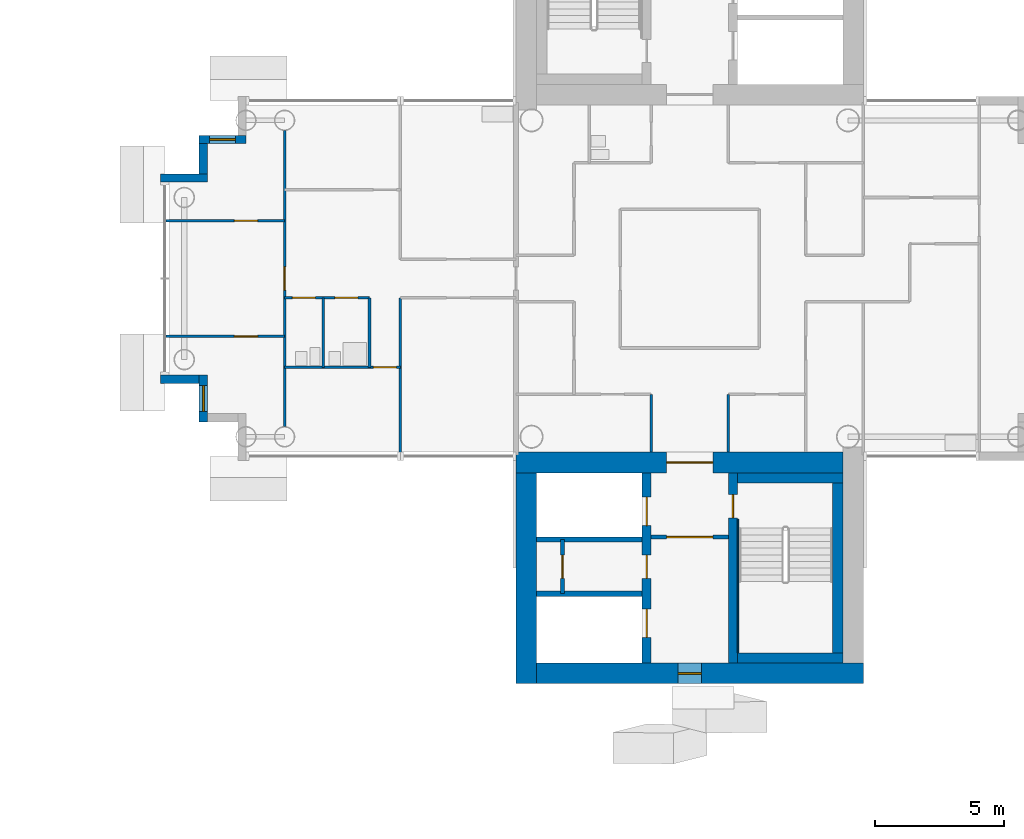
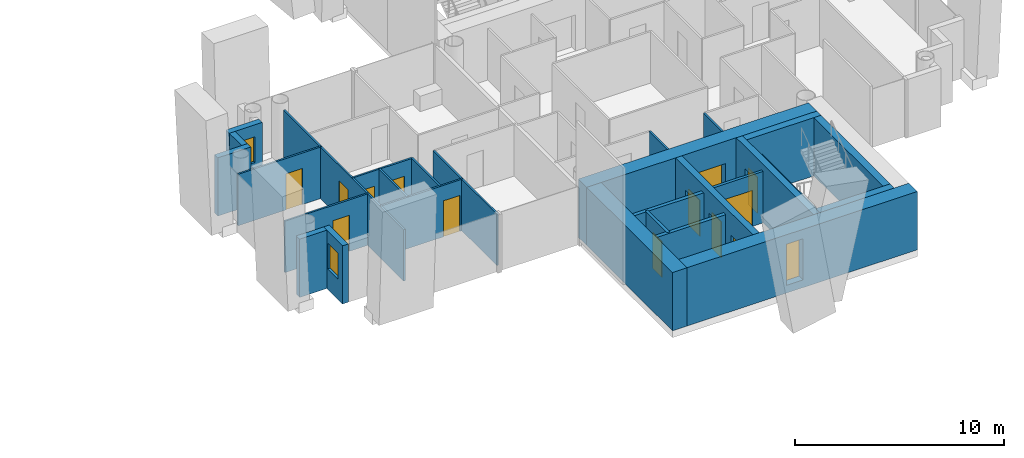
# One storey, part 9 of 19: 28 walls, 13 doors, 3 windows, 16 openings.
"""IFC4 building model written with IfcOpenShell, lengths in metres."""

from ifc_helpers import new_model, si_unit, direction, frame, frame_2d, origin, place, context, subcontext, project, spatial, rectangle, extrude, material, layer, layer_set, type_object, element, fill, save


model = new_model("IFC4")

# Units and contexts
model_context = context("Model", 3, precision=1e-05, world=origin(), true_north=direction((0.0, 1.0)))
body_context = subcontext(model_context, "Body", "Model", "MODEL_VIEW")
ifc_project = project(units=[si_unit("LENGTHUNIT", "METRE"), si_unit("AREAUNIT", "SQUARE_METRE"), si_unit("VOLUMEUNIT", "CUBIC_METRE"), si_unit("PLANEANGLEUNIT", "RADIAN"), si_unit("MASSUNIT", "GRAM", prefix="KILO")], contexts=[model_context])

# Site, building, storey
site_placement = place(None, origin())
site = spatial("IfcSite", under=ifc_project, at=site_placement, CompositionType="ELEMENT")
building_placement = place(site_placement, origin())
building = spatial("IfcBuilding", under=site, at=building_placement, Name="Ipe Terrace Towers", CompositionType="ELEMENT")
storey_placement = place(building_placement, frame((0.0, 0.0, 157.5)))
storey = spatial("IfcBuildingStorey", under=building, at=storey_placement, Name="L43", CompositionType="ELEMENT", Elevation=157.5)

# Wall, opening, window
ifc_material_1 = material(Name="Concrete C40/50 with buff precast cladding", Category="concrete")
ifc_layer_1 = layer(ifc_material_1, 0.320068359375)
ifc_layer_set_1 = layer_set([ifc_layer_1], Name="BUFF CLADDING WALL 320")
wall_type_1 = type_object("IfcWallType", Name="BUFF CLADDING WALL 320", PredefinedType="STANDARD", material=ifc_layer_set_1)
wall_1_placement = place(storey_placement, frame((18.75, 5.409912109375, -0.300048828125), z_axis=(0.0, 0.0, 1.0), x_axis=(-1.0, 0.0, 0.0)))
wall_1 = element("IfcWall", 1, at=wall_1_placement, inside=storey, type_object=wall_type_1, Name="T2-W-L43-31a wall", PredefinedType="STANDARD", context=body_context, shape_type="SweptSolid", body=[
    extrude(rectangle(XDim=1.820068359375, YDim=0.320068359375, at=frame_2d((0.91015625, 0.0))), origin(), (0.0, 0.0, 1.0), 3.400146484375),
])
opening_1_placement = place(wall_1_placement, frame((0.409912109375, 0.0, 1.199951171875)))
opening_1 = element("IfcOpeningElement", 2, at=opening_1_placement, cuts=wall_1, Name="Opening T2-W-05-L43-02", PredefinedType="OPENING", context=body_context, shape_type="SweptSolid", body=[
    extrude(rectangle(XDim=1.0, YDim=1.5, at=frame_2d((0.5, 0.75))), frame((0.0, 0.169921875, 0.0), z_axis=(0.0, -1.0, 0.0), x_axis=(1.0, 0.0, 0.0)), (0.0, 0.0, 1.0), 0.340087890625),
])
ifc_material_2 = material(Name="Glass, clear laminated", Category="glass")
window_type_1 = type_object("IfcWindowType", Name="DWELLING WINDOW 1000 x 1500", PartitioningType="SINGLE_PANEL", PredefinedType="WINDOW", material=ifc_material_2)
window_1_placement = place(opening_1_placement, origin())
window_1 = element("IfcWindow", 3, at=window_1_placement, inside=storey, type_object=window_type_1, Name="W-05 window", OverallHeight=1.5, OverallWidth=1.0, PartitioningType="SINGLE_PANEL", PredefinedType="WINDOW", context=body_context, shape_type="SweptSolid", body=[
    extrude(rectangle(XDim=1.0, YDim=1.5, at=frame_2d((0.5, 0.75))), frame((0.0, 0.030029296875, 0.0), z_axis=(0.0, -1.0, 0.0), x_axis=(1.0, 0.0, 0.0)), (0.0, 0.0, 1.0), 0.06005859375),
])
fill(opening_1, window_1)

# Walls
wall_2_placement = place(storey_placement, frame((17.090087890625, 5.25, -0.300048828125), z_axis=(0.0, 0.0, 1.0), x_axis=(0.0, -1.0, 0.0)))
element("IfcWall", 4, at=wall_2_placement, inside=storey, type_object=wall_type_1, Name="T2-W-L43-32a wall", PredefinedType="STANDARD", context=body_context, shape_type="SweptSolid", body=[
    extrude(rectangle(XDim=1.179931640625, YDim=0.320068359375, at=frame_2d((0.58984375, 0.0))), origin(), (0.0, 0.0, 1.0), 3.400146484375),
])
wall_3_placement = place(storey_placement, frame((17.25, 3.909912109375, -0.300048828125), z_axis=(0.0, 0.0, 1.0), x_axis=(-1.0, 0.0, 0.0)))
element("IfcWall", 5, at=wall_3_placement, inside=storey, type_object=wall_type_1, Name="T2-W-L43-33a wall", PredefinedType="STANDARD", context=body_context, shape_type="SweptSolid", body=[
    extrude(rectangle(XDim=1.820068359375, YDim=0.320068359375, at=frame_2d((0.91015625, 0.0))), origin(), (0.0, 0.0, 1.0), 3.400146484375),
])
wall_4_placement = place(storey_placement, frame((15.429931640625, -3.909912109375, -0.300048828125), z_axis=(0.0, 0.0, 1.0), x_axis=(1.0, 0.0, 0.0)))
element("IfcWall", 6, at=wall_4_placement, inside=storey, type_object=wall_type_1, Name="T2-W-L43-35a wall", PredefinedType="STANDARD", context=body_context, shape_type="SweptSolid", body=[
    extrude(rectangle(XDim=1.5, YDim=0.320068359375, at=frame_2d((0.75, 0.0))), origin(), (0.0, 0.0, 1.0), 3.400146484375),
])

# Wall, opening, window
wall_5_placement = place(storey_placement, frame((17.090087890625, -3.75, -0.300048828125), z_axis=(0.0, 0.0, 1.0), x_axis=(0.0, -1.0, 0.0)))
wall_5 = element("IfcWall", 7, at=wall_5_placement, inside=storey, type_object=wall_type_1, Name="T2-W-L43-36a wall", PredefinedType="STANDARD", context=body_context, shape_type="SweptSolid", body=[
    extrude(rectangle(XDim=1.820068359375, YDim=0.320068359375, at=frame_2d((0.91015625, 0.0))), origin(), (0.0, 0.0, 1.0), 3.400146484375),
])
opening_2_placement = place(wall_5_placement, frame((0.409912109375, 0.0, 1.199951171875)))
opening_2 = element("IfcOpeningElement", 8, at=opening_2_placement, cuts=wall_5, Name="Opening T2-W-05-L43-01", PredefinedType="OPENING", context=body_context, shape_type="SweptSolid", body=[
    extrude(rectangle(XDim=1.0, YDim=1.5, at=frame_2d((0.5, 0.75))), frame((0.0, 0.169921875, 0.0), z_axis=(0.0, -1.0, 0.0), x_axis=(1.0, 0.0, 0.0)), (0.0, 0.0, 1.0), 0.340087890625),
])
window_2_placement = place(opening_2_placement, origin())
window_2 = element("IfcWindow", 9, at=window_2_placement, inside=storey, type_object=window_type_1, Name="W-05 window", OverallHeight=1.5, OverallWidth=1.0, PartitioningType="SINGLE_PANEL", PredefinedType="WINDOW", context=body_context, shape_type="SweptSolid", body=[
    extrude(rectangle(XDim=1.0, YDim=1.5, at=frame_2d((0.5, 0.75))), frame((0.0, 0.030029296875, 0.0), z_axis=(0.0, -1.0, 0.0), x_axis=(1.0, 0.0, 0.0)), (0.0, 0.0, 1.0), 0.06005859375),
])
fill(opening_2, window_2)

# Wall, opening, door
ifc_material_3 = material(Name="Gypsum board partition", Category="plasterboard")
ifc_layer_2 = layer(ifc_material_3, 0.10009765625)
ifc_layer_set_2 = layer_set([ifc_layer_2], Name="Gypsum board partition 100 mm")
wall_type_2 = type_object("IfcWallType", Name="Gypsum board partition 100 mm", PredefinedType="PARTITIONING", material=ifc_layer_set_2)
wall_6_placement = place(storey_placement, frame((24.75, -3.449951171875, 0.0), z_axis=(0.0, 0.0, 1.0), x_axis=(-1.0, 0.0, 0.0)))
wall_6 = element("IfcWall", 10, at=wall_6_placement, inside=storey, type_object=wall_type_2, Name="Gypsum board partition T2 L43 W03", PredefinedType="PARTITIONING", context=body_context, shape_type="SweptSolid", body=[
    extrude(rectangle(XDim=4.5, YDim=0.10009765625, at=frame_2d((2.25, 0.0))), origin(), (0.0, 0.0, 1.0), 3.0),
])
opening_3_placement = place(wall_6_placement, frame((0.14990234375, 0.0, 0.0)))
opening_3 = element("IfcOpeningElement", 11, at=opening_3_placement, cuts=wall_6, Name="Opening T2-Z3C-15", PredefinedType="OPENING", context=body_context, shape_type="SweptSolid", body=[
    extrude(rectangle(XDim=0.89990234375, YDim=2.10009765625, at=frame_2d((0.449951171875, 1.050048828125))), frame((0.0, 0.06005859375, 0.0), z_axis=(0.0, -1.0, 0.0), x_axis=(1.0, 0.0, 0.0)), (0.0, 0.0, 1.0), 0.1201171875),
])
ifc_material_4 = material(Name="Timber door leaf", Category="wood")
door_type_1 = type_object("IfcDoorType", Name="Bedroom door 900 x 2100", OperationType="NOTDEFINED", PredefinedType="DOOR", material=ifc_material_4)
door_1_placement = place(opening_3_placement, origin())
door_1 = element("IfcDoor", 12, at=door_1_placement, inside=storey, type_object=door_type_1, Name="Bedroom door T2-Z3C-15", OperationType="SINGLE_SWING_RIGHT", OverallHeight=2.10009765625, OverallWidth=0.89990234375, PredefinedType="DOOR", context=body_context, shape_type="SweptSolid", body=[
    extrude(rectangle(XDim=0.89990234375, YDim=2.10009765625, at=frame_2d((0.449951171875, 1.050048828125))), frame((0.0, 0.02490234375, 0.0), z_axis=(0.0, -1.0, 0.0), x_axis=(1.0, 0.0, 0.0)), (0.0, 0.0, 1.0), 0.050048828125),
])
fill(opening_3, door_1)

wall_7_placement = place(storey_placement, frame((20.25, -2.25, 0.0), z_axis=(0.0, 0.0, 1.0), x_axis=(-1.0, 0.0, 0.0)))
wall_7 = element("IfcWall", 13, at=wall_7_placement, inside=storey, type_object=wall_type_2, Name="Gypsum board partition T2 L43 W05", PredefinedType="PARTITIONING", context=body_context, shape_type="SweptSolid", body=[
    extrude(rectangle(XDim=4.60009765625, YDim=0.10009765625, at=frame_2d((2.300048828125, 0.0))), origin(), (0.0, 0.0, 1.0), 3.0),
])
opening_4_placement = place(wall_7_placement, frame((1.050048828125, 0.0, 0.0)))
opening_4 = element("IfcOpeningElement", 14, at=opening_4_placement, cuts=wall_7, Name="Opening T2-Z3C-18", PredefinedType="OPENING", context=body_context, shape_type="SweptSolid", body=[
    extrude(rectangle(XDim=0.89990234375, YDim=2.10009765625, at=frame_2d((0.449951171875, 1.050048828125))), frame((0.0, 0.06005859375, 0.0), z_axis=(0.0, -1.0, 0.0), x_axis=(1.0, 0.0, 0.0)), (0.0, 0.0, 1.0), 0.1201171875),
])
door_2_placement = place(opening_4_placement, origin())
door_2 = element("IfcDoor", 15, at=door_2_placement, inside=storey, type_object=door_type_1, Name="Bedroom door T2-Z3C-18", OperationType="SINGLE_SWING_RIGHT", OverallHeight=2.10009765625, OverallWidth=0.89990234375, PredefinedType="DOOR", context=body_context, shape_type="SweptSolid", body=[
    extrude(rectangle(XDim=0.89990234375, YDim=2.10009765625, at=frame_2d((0.449951171875, 1.050048828125))), frame((0.0, 0.02490234375, 0.0), z_axis=(0.0, -1.0, 0.0), x_axis=(1.0, 0.0, 0.0)), (0.0, 0.0, 1.0), 0.050048828125),
])
fill(opening_4, door_2)

# Wall, openings, doors
wall_8_placement = place(storey_placement, frame((23.550048828125, -0.75, 0.0), z_axis=(0.0, 0.0, 1.0), x_axis=(-1.0, 0.0, 0.0)))
wall_8 = element("IfcWall", 16, at=wall_8_placement, inside=storey, type_object=wall_type_2, Name="Gypsum board partition T2 L43 W09", PredefinedType="PARTITIONING", context=body_context, shape_type="SweptSolid", body=[
    extrude(rectangle(XDim=3.300048828125, YDim=0.10009765625, at=frame_2d((1.64990234375, 0.0))), origin(), (0.0, 0.0, 1.0), 3.0),
])
opening_5_placement = place(wall_8_placement, frame((0.449951171875, 0.0, 0.0)))
opening_5 = element("IfcOpeningElement", 17, at=opening_5_placement, cuts=wall_8, Name="Opening T2-Z3C-13", PredefinedType="OPENING", context=body_context, shape_type="SweptSolid", body=[
    extrude(rectangle(XDim=0.89990234375, YDim=2.10009765625, at=frame_2d((0.449951171875, 1.050048828125))), frame((0.0, 0.06005859375, 0.0), z_axis=(0.0, -1.0, 0.0), x_axis=(1.0, 0.0, 0.0)), (0.0, 0.0, 1.0), 0.1201171875),
])
opening_6_placement = place(wall_8_placement, frame((2.10009765625, 0.0, 0.0)))
opening_6 = element("IfcOpeningElement", 18, at=opening_6_placement, cuts=wall_8, Name="Opening T2-Z3C-14", PredefinedType="OPENING", context=body_context, shape_type="SweptSolid", body=[
    extrude(rectangle(XDim=0.89990234375, YDim=2.10009765625, at=frame_2d((0.449951171875, 1.050048828125))), frame((0.0, 0.06005859375, 0.0), z_axis=(0.0, -1.0, 0.0), x_axis=(1.0, 0.0, 0.0)), (0.0, 0.0, 1.0), 0.1201171875),
])
ifc_material_5 = material(Name="Timber door leaf", Category="wood")
door_type_2 = type_object("IfcDoorType", Name="Bathroom door 900 x 2100", OperationType="NOTDEFINED", PredefinedType="DOOR", material=ifc_material_5)
door_3_placement = place(opening_5_placement, origin())
door_3 = element("IfcDoor", 19, at=door_3_placement, inside=storey, type_object=door_type_2, Name="Bathroom door T2-Z3C-13", OperationType="SINGLE_SWING_RIGHT", OverallHeight=2.10009765625, OverallWidth=0.89990234375, PredefinedType="DOOR", context=body_context, shape_type="SweptSolid", body=[
    extrude(rectangle(XDim=0.89990234375, YDim=2.10009765625, at=frame_2d((0.449951171875, 1.050048828125))), frame((0.0, 0.02490234375, 0.0), z_axis=(0.0, -1.0, 0.0), x_axis=(1.0, 0.0, 0.0)), (0.0, 0.0, 1.0), 0.050048828125),
])
fill(opening_5, door_3)
door_4_placement = place(opening_6_placement, origin())
door_4 = element("IfcDoor", 20, at=door_4_placement, inside=storey, type_object=door_type_2, Name="Bathroom door T2-Z3C-14", OperationType="SINGLE_SWING_LEFT", OverallHeight=2.10009765625, OverallWidth=0.89990234375, PredefinedType="DOOR", context=body_context, shape_type="SweptSolid", body=[
    extrude(rectangle(XDim=0.89990234375, YDim=2.10009765625, at=frame_2d((0.449951171875, 1.050048828125))), frame((0.0, 0.02490234375, 0.0), z_axis=(0.0, -1.0, 0.0), x_axis=(1.0, 0.0, 0.0)), (0.0, 0.0, 1.0), 0.050048828125),
])
fill(opening_6, door_4)

# Wall, opening, door
wall_9_placement = place(storey_placement, frame((20.25, 2.25, 0.0), z_axis=(0.0, 0.0, 1.0), x_axis=(-1.0, 0.0, 0.0)))
wall_9 = element("IfcWall", 21, at=wall_9_placement, inside=storey, type_object=wall_type_2, Name="Gypsum board partition T2 L43 W14", PredefinedType="PARTITIONING", context=body_context, shape_type="SweptSolid", body=[
    extrude(rectangle(XDim=4.60009765625, YDim=0.10009765625, at=frame_2d((2.300048828125, 0.0))), origin(), (0.0, 0.0, 1.0), 3.0),
])
opening_7_placement = place(wall_9_placement, frame((1.050048828125, 0.0, 0.0)))
opening_7 = element("IfcOpeningElement", 22, at=opening_7_placement, cuts=wall_9, Name="Opening T2-Z3C-19", PredefinedType="OPENING", context=body_context, shape_type="SweptSolid", body=[
    extrude(rectangle(XDim=0.89990234375, YDim=2.10009765625, at=frame_2d((0.449951171875, 1.050048828125))), frame((0.0, 0.06005859375, 0.0), z_axis=(0.0, -1.0, 0.0), x_axis=(1.0, 0.0, 0.0)), (0.0, 0.0, 1.0), 0.1201171875),
])
door_5_placement = place(opening_7_placement, origin())
door_5 = element("IfcDoor", 23, at=door_5_placement, inside=storey, type_object=door_type_1, Name="Bedroom door T2-Z3C-19", OperationType="SINGLE_SWING_LEFT", OverallHeight=2.10009765625, OverallWidth=0.89990234375, PredefinedType="DOOR", context=body_context, shape_type="SweptSolid", body=[
    extrude(rectangle(XDim=0.89990234375, YDim=2.10009765625, at=frame_2d((0.449951171875, 1.050048828125))), frame((0.0, 0.02490234375, 0.0), z_axis=(0.0, -1.0, 0.0), x_axis=(1.0, 0.0, 0.0)), (0.0, 0.0, 1.0), 0.050048828125),
])
fill(opening_7, door_5)

# Walls
for number, where, z_axis, x_axis, name in (
    (24, (37.5, -6.75, 0.0), (0.0, 0.0, 1.0), (0.0, 1.0, 0.0), "Gypsum board partition T2 L43 W30"),
    (25, (34.5, -6.75, 0.0), (0.0, 0.0, 1.0), (0.0, 1.0, 0.0), "Gypsum board partition T2 L43 W34"),
):
    element("IfcWall", number, at=place(storey_placement, frame(where, z_axis=z_axis, x_axis=x_axis)), inside=storey, type_object=wall_type_2, Name=name, PredefinedType="PARTITIONING", context=body_context, shape_type="SweptSolid", body=[
        extrude(rectangle(XDim=2.25, YDim=0.10009765625, at=frame_2d((1.125, 0.0))), origin(), (0.0, 0.0, 1.0), 3.0),
    ])
wall_10_placement = place(storey_placement, frame((24.75, -6.85009765625, 0.0), z_axis=(0.0, 0.0, 1.0), x_axis=(0.0, 1.0, 0.0)))
element("IfcWall", 26, at=wall_10_placement, inside=storey, type_object=wall_type_2, Name="Gypsum board partition T2 L43 W43", PredefinedType="PARTITIONING", context=body_context, shape_type="SweptSolid", body=[
    extrude(rectangle(XDim=6.10009765625, YDim=0.10009765625, at=frame_2d((3.050048828125, 0.0))), origin(), (0.0, 0.0, 1.0), 3.0),
])
for number, where, z_axis, x_axis, name in (
    (27, (23.550048828125, -3.449951171875, 0.0), (0.0, 0.0, 1.0), (0.0, 1.0, 0.0), "Gypsum board partition T2 L43 W45"),
    (28, (21.75, -3.449951171875, 0.0), (0.0, 0.0, 1.0), (0.0, 1.0, 0.0), "Gypsum board partition T2 L43 W46"),
):
    element("IfcWall", number, at=place(storey_placement, frame(where, z_axis=z_axis, x_axis=x_axis)), inside=storey, type_object=wall_type_2, Name=name, PredefinedType="PARTITIONING", context=body_context, shape_type="SweptSolid", body=[
        extrude(rectangle(XDim=2.699951171875, YDim=0.10009765625, at=frame_2d((1.35009765625, 0.0))), origin(), (0.0, 0.0, 1.0), 3.0),
    ])

# Wall, opening, door
wall_11_placement = place(storey_placement, frame((20.25, -5.75, 0.0), z_axis=(0.0, 0.0, 1.0), x_axis=(0.0, 1.0, 0.0)))
wall_11 = element("IfcWall", 29, at=wall_11_placement, inside=storey, type_object=wall_type_2, Name="Gypsum board partition T2 L43 W47", PredefinedType="PARTITIONING", context=body_context, shape_type="SweptSolid", body=[
    extrude(rectangle(XDim=11.5, YDim=0.10009765625, at=frame_2d((5.75, 0.0))), origin(), (0.0, 0.0, 1.0), 3.0),
])
opening_8_placement = place(wall_11_placement, frame((5.300048828125, 0.0, 0.0)))
opening_8 = element("IfcOpeningElement", 30, at=opening_8_placement, cuts=wall_11, Name="Opening T2-Z3C-17", PredefinedType="OPENING", context=body_context, shape_type="SweptSolid", body=[
    extrude(rectangle(XDim=0.89990234375, YDim=2.10009765625, at=frame_2d((0.449951171875, 1.050048828125))), frame((0.0, 0.06005859375, 0.0), z_axis=(0.0, -1.0, 0.0), x_axis=(1.0, 0.0, 0.0)), (0.0, 0.0, 1.0), 0.1201171875),
])
ifc_material_6 = material(Name="Timber door leaf", Category="wood")
door_type_3 = type_object("IfcDoorType", Name="Lounge door 900 x 2100", OperationType="NOTDEFINED", PredefinedType="DOOR", material=ifc_material_6)
door_6_placement = place(opening_8_placement, origin())
door_6 = element("IfcDoor", 31, at=door_6_placement, inside=storey, type_object=door_type_3, Name="Lounge door T2-Z3C-17", OperationType="SINGLE_SWING_LEFT", OverallHeight=2.10009765625, OverallWidth=0.89990234375, PredefinedType="DOOR", context=body_context, shape_type="SweptSolid", body=[
    extrude(rectangle(XDim=0.89990234375, YDim=2.10009765625, at=frame_2d((0.449951171875, 1.050048828125))), frame((0.0, 0.02490234375, 0.0), z_axis=(0.0, -1.0, 0.0), x_axis=(1.0, 0.0, 0.0)), (0.0, 0.0, 1.0), 0.050048828125),
])
fill(opening_8, door_6)

ifc_material_7 = material(Name="Gypsum board partition", Category="plasterboard")
ifc_layer_3 = layer(ifc_material_7, 0.14990234375)
ifc_layer_set_3 = layer_set([ifc_layer_3], Name="Gypsum board partition 150 mm")
wall_type_3 = type_object("IfcWallType", Name="Gypsum board partition 150 mm", PredefinedType="PARTITIONING", material=ifc_layer_set_3)
wall_12_placement = place(storey_placement, frame((34.5, -10.050048828125, 0.0), z_axis=(0.0, 0.0, 1.0), x_axis=(1.0, 0.0, 0.0)))
wall_12 = element("IfcWall", 32, at=wall_12_placement, inside=storey, type_object=wall_type_3, Name="Gypsum board partition T2 L43 t2c2-lobby-wall", PredefinedType="PARTITIONING", context=body_context, shape_type="SweptSolid", body=[
    extrude(rectangle(XDim=3.0, YDim=0.14990234375, at=frame_2d((1.5, 0.0))), origin(), (0.0, 0.0, 1.0), 3.0),
])
opening_9_placement = place(wall_12_placement, frame((0.60009765625, 0.0, 0.0)))
opening_9 = element("IfcOpeningElement", 33, at=opening_9_placement, cuts=wall_12, Name="Opening T2C2-VD", PredefinedType="OPENING", context=body_context, shape_type="SweptSolid", body=[
    extrude(rectangle(XDim=1.800048828125, YDim=2.10009765625, at=frame_2d((0.89990234375, 1.050048828125))), frame((0.0, 0.0849609375, 0.0), z_axis=(0.0, -1.0, 0.0), x_axis=(1.0, 0.0, 0.0)), (0.0, 0.0, 1.0), 0.169921875),
])
ifc_material_8 = material(Name="Fire-rated timber door leaf", Category="wood")
door_type_4 = type_object("IfcDoorType", Name="Lobby door 1800 x 2100 FD60", OperationType="NOTDEFINED", PredefinedType="DOOR", material=ifc_material_8)
door_7_placement = place(opening_9_placement, origin())
door_7 = element("IfcDoor", 34, at=door_7_placement, inside=storey, type_object=door_type_4, Name="Lobby door T2C2-VD", OperationType="SINGLE_SWING_LEFT", OverallHeight=2.10009765625, OverallWidth=1.800048828125, PredefinedType="DOOR", context=body_context, shape_type="SweptSolid", body=[
    extrude(rectangle(XDim=1.800048828125, YDim=2.10009765625, at=frame_2d((0.89990234375, 1.050048828125))), frame((0.0, 0.02490234375, 0.0), z_axis=(0.0, -1.0, 0.0), x_axis=(1.0, 0.0, 0.0)), (0.0, 0.0, 1.0), 0.050048828125),
])
fill(opening_9, door_7)

wall_13_placement = place(storey_placement, frame((31.050048828125, -10.14990234375, 0.0), z_axis=(0.0, 0.0, 1.0), x_axis=(0.0, -1.0, 0.0)))
wall_13 = element("IfcWall", 35, at=wall_13_placement, inside=storey, type_object=wall_type_3, Name="Gypsum board partition T2 L43 t2c2-q-back", PredefinedType="PARTITIONING", context=body_context, shape_type="SweptSolid", body=[
    extrude(rectangle(XDim=2.10009765625, YDim=0.14990234375, at=frame_2d((1.050048828125, 0.0))), origin(), (0.0, 0.0, 1.0), 3.0),
])
opening_10_placement = place(wall_13_placement, frame((0.60009765625, 0.0, 0.0)))
opening_10 = element("IfcOpeningElement", 36, at=opening_10_placement, cuts=wall_13, Name="Opening T2C2-RB", PredefinedType="OPENING", context=body_context, shape_type="SweptSolid", body=[
    extrude(rectangle(XDim=0.89990234375, YDim=2.10009765625, at=frame_2d((0.449951171875, 1.050048828125))), frame((0.0, 0.0849609375, 0.0), z_axis=(0.0, -1.0, 0.0), x_axis=(1.0, 0.0, 0.0)), (0.0, 0.0, 1.0), 0.169921875),
])
ifc_material_9 = material(Name="Fire-rated timber door leaf", Category="wood")
door_type_5 = type_object("IfcDoorType", Name="Service door 900 x 2100 FD60", OperationType="NOTDEFINED", PredefinedType="DOOR", material=ifc_material_9)
door_8_placement = place(opening_10_placement, origin())
door_8 = element("IfcDoor", 37, at=door_8_placement, inside=storey, type_object=door_type_5, Name="Service door T2C2-RB", OperationType="SINGLE_SWING_LEFT", OverallHeight=2.10009765625, OverallWidth=0.89990234375, PredefinedType="DOOR", context=body_context, shape_type="SweptSolid", body=[
    extrude(rectangle(XDim=0.89990234375, YDim=2.10009765625, at=frame_2d((0.449951171875, 1.050048828125))), frame((0.0, 0.02490234375, 0.0), z_axis=(0.0, -1.0, 0.0), x_axis=(1.0, 0.0, 0.0)), (0.0, 0.0, 1.0), 0.050048828125),
])
fill(opening_10, door_8)

# Walls
ifc_material_10 = material(Name="Gypsum board party wall", Category="plasterboard")
ifc_layer_4 = layer(ifc_material_10, 0.199951171875)
ifc_layer_set_4 = layer_set([ifc_layer_4], Name="Gypsum board party wall 200 mm")
wall_type_4 = type_object("IfcWallType", Name="Gypsum board party wall 200 mm", PredefinedType="SOLIDWALL", material=ifc_layer_set_4)
for number, where, z_axis, x_axis, name in (
    (38, (30.050048828125, -12.25, 0.0), (0.0, 0.0, 1.0), (1.0, 0.0, 0.0), "Gypsum board party wall T2 L43 t2c2-shaft-div2"),
    (39, (30.050048828125, -10.14990234375, 0.0), (0.0, 0.0, 1.0), (1.0, 0.0, 0.0), "Gypsum board party wall T2 L43 t2c2-shaft-div1"),
):
    element("IfcWall", number, at=place(storey_placement, frame(where, z_axis=z_axis, x_axis=x_axis)), inside=storey, type_object=wall_type_4, Name=name, PredefinedType="SOLIDWALL", context=body_context, shape_type="SweptSolid", body=[
        extrude(rectangle(XDim=4.099853515625, YDim=0.199951171875, at=frame_2d((2.0498046875, 0.0))), origin(), (0.0, 0.0, 1.0), 3.0),
    ])

# Wall, openings, doors
ifc_material_11 = material(Name="Concrete C50/60", Category="concrete")
ifc_layer_5 = layer(ifc_material_11, 0.35009765625)
ifc_layer_set_5 = layer_set([ifc_layer_5], Name="RW350 CORE SPINE WALL 350 C50-60")
wall_type_5 = type_object("IfcWallType", Name="RW350 CORE SPINE WALL 350 C50-60", PredefinedType="SHEAR", material=ifc_layer_set_5)
wall_14_placement = place(storey_placement, frame((34.324951171875, -14.949951171875, 0.0), z_axis=(0.0, 0.0, 1.0), x_axis=(0.0, 1.0, 0.0)))
wall_14 = element("IfcWall", 40, at=wall_14_placement, inside=storey, type_object=wall_type_5, Name="Core spine wall T2-C2-Z3-SW1", PredefinedType="SHEAR", context=body_context, shape_type="SweptSolid", body=[
    extrude(rectangle(XDim=7.39990234375, YDim=0.35009765625, at=frame_2d((3.699951171875, 0.0))), origin(), (0.0, 0.0, 1.0), 3.39990234375),
])
opening_11_placement = place(wall_14_placement, frame((5.35009765625, 0.0, 0.0)))
opening_11 = element("IfcOpeningElement", 41, at=opening_11_placement, cuts=wall_14, Name="Opening T2C2-LD1", PredefinedType="OPENING", context=body_context, shape_type="SweptSolid", body=[
    extrude(rectangle(XDim=1.10009765625, YDim=2.10009765625, at=frame_2d((0.550048828125, 1.050048828125))), frame((0.0, 0.18505859375, 0.0), z_axis=(0.0, -1.0, 0.0), x_axis=(1.0, 0.0, 0.0)), (0.0, 0.0, 1.0), 0.3701171875),
])
opening_12_placement = place(wall_14_placement, frame((1.0, 0.0, 0.0)))
opening_12 = element("IfcOpeningElement", 42, at=opening_12_placement, cuts=wall_14, Name="Opening T2C2-LD3", PredefinedType="OPENING", context=body_context, shape_type="SweptSolid", body=[
    extrude(rectangle(XDim=1.10009765625, YDim=2.10009765625, at=frame_2d((0.550048828125, 1.050048828125))), frame((0.0, 0.18505859375, 0.0), z_axis=(0.0, -1.0, 0.0), x_axis=(1.0, 0.0, 0.0)), (0.0, 0.0, 1.0), 0.3701171875),
])
opening_13_placement = place(wall_14_placement, frame((3.300048828125, 0.0, 0.0)))
opening_13 = element("IfcOpeningElement", 43, at=opening_13_placement, cuts=wall_14, Name="Opening T2C2-R1-FD30S", PredefinedType="OPENING", context=body_context, shape_type="SweptSolid", body=[
    extrude(rectangle(XDim=0.89990234375, YDim=2.10009765625, at=frame_2d((0.449951171875, 1.050048828125))), frame((0.0, 0.18505859375, 0.0), z_axis=(0.0, -1.0, 0.0), x_axis=(1.0, 0.0, 0.0)), (0.0, 0.0, 1.0), 0.3701171875),
])
ifc_material_12 = material(Name="Fire-rated timber door leaf", Category="wood")
door_type_6 = type_object("IfcDoorType", Name="Sliding door 1100 x 2100 FD60", OperationType="SLIDING_TO_LEFT", PredefinedType="DOOR", material=ifc_material_12)
door_9_placement = place(opening_11_placement, origin())
door_9 = element("IfcDoor", 44, at=door_9_placement, inside=storey, type_object=door_type_6, Name="Sliding door T2C2-LD1", OperationType="SLIDING_TO_LEFT", OverallHeight=2.10009765625, OverallWidth=1.10009765625, PredefinedType="DOOR", context=body_context, shape_type="SweptSolid", body=[
    extrude(rectangle(XDim=1.10009765625, YDim=2.10009765625, at=frame_2d((0.550048828125, 1.050048828125))), frame((0.0, 0.02490234375, 0.0), z_axis=(0.0, -1.0, 0.0), x_axis=(1.0, 0.0, 0.0)), (0.0, 0.0, 1.0), 0.050048828125),
])
fill(opening_11, door_9)
door_10_placement = place(opening_12_placement, origin())
door_10 = element("IfcDoor", 45, at=door_10_placement, inside=storey, type_object=door_type_6, Name="Sliding door T2C2-LD3", OperationType="SLIDING_TO_LEFT", OverallHeight=2.10009765625, OverallWidth=1.10009765625, PredefinedType="DOOR", context=body_context, shape_type="SweptSolid", body=[
    extrude(rectangle(XDim=1.10009765625, YDim=2.10009765625, at=frame_2d((0.550048828125, 1.050048828125))), frame((0.0, 0.02490234375, 0.0), z_axis=(0.0, -1.0, 0.0), x_axis=(1.0, 0.0, 0.0)), (0.0, 0.0, 1.0), 0.050048828125),
])
fill(opening_12, door_10)
ifc_material_13 = material(Name="Fire-rated timber door leaf", Category="wood")
door_type_7 = type_object("IfcDoorType", Name="Store door 900 x 2100 FD30S", OperationType="NOTDEFINED", PredefinedType="DOOR", material=ifc_material_13)
door_11_placement = place(opening_13_placement, origin())
door_11 = element("IfcDoor", 46, at=door_11_placement, inside=storey, type_object=door_type_7, Name="Store door T2C2-R1-FD30S", OperationType="SINGLE_SWING_LEFT", OverallHeight=2.10009765625, OverallWidth=0.89990234375, PredefinedType="DOOR", context=body_context, shape_type="SweptSolid", body=[
    extrude(rectangle(XDim=0.89990234375, YDim=2.10009765625, at=frame_2d((0.449951171875, 1.050048828125))), frame((0.0, 0.02490234375, 0.0), z_axis=(0.0, -1.0, 0.0), x_axis=(1.0, 0.0, 0.0)), (0.0, 0.0, 1.0), 0.050048828125),
])
fill(opening_13, door_11)

# Wall, opening, door
wall_15_placement = place(storey_placement, frame((37.675048828125, -14.949951171875, 0.0), z_axis=(0.0, 0.0, 1.0), x_axis=(0.0, 1.0, 0.0)))
wall_15 = element("IfcWall", 47, at=wall_15_placement, inside=storey, type_object=wall_type_5, Name="Core spine wall T2-C2-Z3-SW2", PredefinedType="SHEAR", context=body_context, shape_type="SweptSolid", body=[
    extrude(rectangle(XDim=7.39990234375, YDim=0.35009765625, at=frame_2d((3.699951171875, 0.0))), origin(), (0.0, 0.0, 1.0), 3.39990234375),
])
opening_14_placement = place(wall_15_placement, frame((5.64990234375, 0.0, 0.0)))
opening_14 = element("IfcOpeningElement", 48, at=opening_14_placement, cuts=wall_15, Name="Opening T2C2-SD", PredefinedType="OPENING", context=body_context, shape_type="SweptSolid", body=[
    extrude(rectangle(XDim=0.89990234375, YDim=2.10009765625, at=frame_2d((0.449951171875, 1.050048828125))), frame((0.0, 0.18505859375, 0.0), z_axis=(0.0, -1.0, 0.0), x_axis=(1.0, 0.0, 0.0)), (0.0, 0.0, 1.0), 0.3701171875),
])
ifc_material_14 = material(Name="Fire-rated timber door leaf", Category="wood")
door_type_8 = type_object("IfcDoorType", Name="Stair door 900 x 2100 FD60", OperationType="NOTDEFINED", PredefinedType="DOOR", material=ifc_material_14)
door_12_placement = place(opening_14_placement, origin())
door_12 = element("IfcDoor", 49, at=door_12_placement, inside=storey, type_object=door_type_8, Name="Stair door T2C2-SD", OperationType="SINGLE_SWING_RIGHT", OverallHeight=2.10009765625, OverallWidth=0.89990234375, PredefinedType="DOOR", context=body_context, shape_type="SweptSolid", body=[
    extrude(rectangle(XDim=0.89990234375, YDim=2.10009765625, at=frame_2d((0.449951171875, 1.050048828125))), frame((0.0, 0.02490234375, 0.0), z_axis=(0.0, -1.0, 0.0), x_axis=(1.0, 0.0, 0.0)), (0.0, 0.0, 1.0), 0.050048828125),
])
fill(opening_14, door_12)

# Walls
ifc_material_15 = material(Name="Concrete C50/60", Category="concrete")
ifc_layer_6 = layer(ifc_material_15, 0.39990234375)
ifc_layer_set_6 = layer_set([ifc_layer_6], Name="RW400 CORE INFILL WALL 400 C50-60")
wall_type_6 = type_object("IfcWallType", Name="RW400 CORE INFILL WALL 400 C50-60", PredefinedType="SHEAR", material=ifc_layer_set_6)
wall_16_placement = place(storey_placement, frame((37.85009765625, -14.75, 0.0), z_axis=(0.0, 0.0, 1.0), x_axis=(1.0, 0.0, 0.0)))
element("IfcWall", 50, at=wall_16_placement, inside=storey, type_object=wall_type_6, Name="Core infill wall T2-C2-far", PredefinedType="SHEAR", context=body_context, shape_type="SweptSolid", body=[
    extrude(rectangle(XDim=4.099853515625, YDim=0.39990234375, at=frame_2d((2.0498046875, 0.0))), origin(), (0.0, 0.0, 1.0), 3.39990234375),
])
wall_17_placement = place(storey_placement, frame((41.75, -7.949951171875, 0.0), z_axis=(0.0, 0.0, 1.0), x_axis=(0.0, -1.0, 0.0)))
element("IfcWall", 51, at=wall_17_placement, inside=storey, type_object=wall_type_6, Name="Core infill wall T2-C2-back", PredefinedType="SHEAR", context=body_context, shape_type="SweptSolid", body=[
    extrude(rectangle(XDim=6.60009765625, YDim=0.39990234375, at=frame_2d((3.300048828125, 0.0))), origin(), (0.0, 0.0, 1.0), 3.39990234375),
])
wall_18_placement = place(storey_placement, frame((37.85009765625, -7.75, 0.0), z_axis=(0.0, 0.0, 1.0), x_axis=(1.0, 0.0, 0.0)))
element("IfcWall", 52, at=wall_18_placement, inside=storey, type_object=wall_type_6, Name="Core infill wall T2-C2-near", PredefinedType="SHEAR", context=body_context, shape_type="SweptSolid", body=[
    extrude(rectangle(XDim=4.099853515625, YDim=0.39990234375, at=frame_2d((2.0498046875, 0.0))), origin(), (0.0, 0.0, 1.0), 3.39990234375),
])
ifc_material_16 = material(Name="Concrete C50/60", Category="concrete")
ifc_layer_7 = layer(ifc_material_16, 0.050048828125)
ifc_layer_set_7 = layer_set([ifc_layer_7], Name="RW50 CORE INFILL WALL 50 C50-60")
wall_type_7 = type_object("IfcWallType", Name="RW50 CORE INFILL WALL 50 C50-60", PredefinedType="SHEAR", material=ifc_layer_set_7)
wall_19_placement = place(storey_placement, frame((37.875, -9.35009765625, 0.0), z_axis=(0.0, 0.0, 1.0), x_axis=(0.0, -1.0, 0.0)))
element("IfcWall", 53, at=wall_19_placement, inside=storey, type_object=wall_type_7, Name="Core infill wall T2-C2-spine-b", PredefinedType="SHEAR", context=body_context, shape_type="SweptSolid", body=[
    extrude(rectangle(XDim=5.199951171875, YDim=0.050048828125, at=frame_2d((2.60009765625, 0.0))), origin(), (0.0, 0.0, 1.0), 3.39990234375),
])

# Wall, opening, window
ifc_material_17 = material(Name="Concrete C50/60", Category="concrete")
ifc_layer_8 = layer(ifc_material_17, 0.800048828125)
ifc_layer_set_8 = layer_set([ifc_layer_8], Name="RW800 CORE WALL 800 C50-60")
wall_type_8 = type_object("IfcWallType", Name="RW800 CORE WALL 800 C50-60", PredefinedType="SHEAR", material=ifc_layer_set_8)
wall_20_placement = place(storey_placement, frame((30.050048828125, -15.35009765625, 0.0), z_axis=(0.0, 0.0, 1.0), x_axis=(1.0, 0.0, 0.0)))
wall_20 = element("IfcWall", 54, at=wall_20_placement, inside=storey, type_object=wall_type_8, Name="Core wall T2-C2-Z3-W01", PredefinedType="SHEAR", context=body_context, shape_type="SweptSolid", body=[
    extrude(rectangle(XDim=12.699951171875, YDim=0.800048828125, at=frame_2d((6.35009765625, 0.0))), origin(), (0.0, 0.0, 1.0), 3.39990234375),
])
opening_15_placement = place(wall_20_placement, frame((5.5, 0.0, 0.449951171875)))
opening_15 = element("IfcOpeningElement", 55, at=opening_15_placement, cuts=wall_20, Name="Opening T2-C2-W-01-L43", PredefinedType="OPENING", context=body_context, shape_type="SweptSolid", body=[
    extrude(rectangle(XDim=0.89990234375, YDim=2.39990234375, at=frame_2d((0.449951171875, 1.199951171875))), frame((0.0, 0.41015625, 0.0), z_axis=(0.0, -1.0, 0.0), x_axis=(1.0, 0.0, 0.0)), (0.0, 0.0, 1.0), 0.820068359375),
])
ifc_material_18 = material(Name="Fire-resistant glazing EI 60", Category="glass")
window_type_2 = type_object("IfcWindowType", Name="CORRIDOR END SLOT WINDOW 900 x 2400 EI 60", PartitioningType="SINGLE_PANEL", PredefinedType="WINDOW", material=ifc_material_18)
window_3_placement = place(opening_15_placement, origin())
window_3 = element("IfcWindow", 56, at=window_3_placement, inside=storey, type_object=window_type_2, Name="W-01 window", OverallHeight=2.39990234375, OverallWidth=0.89990234375, PartitioningType="SINGLE_PANEL", PredefinedType="WINDOW", context=body_context, shape_type="SweptSolid", body=[
    extrude(rectangle(XDim=0.89990234375, YDim=2.39990234375, at=frame_2d((0.449951171875, 1.199951171875))), frame((0.0, 0.030029296875, 0.0), z_axis=(0.0, -1.0, 0.0), x_axis=(1.0, 0.0, 0.0)), (0.0, 0.0, 1.0), 0.06005859375),
])
fill(opening_15, window_3)

# Wall, opening, door
wall_21_placement = place(storey_placement, frame((41.949951171875, -7.14990234375, 0.0), z_axis=(0.0, 0.0, 1.0), x_axis=(-1.0, 0.0, 0.0)))
wall_21 = element("IfcWall", 57, at=wall_21_placement, inside=storey, type_object=wall_type_8, Name="Core wall T2-C2-Z3-W03", PredefinedType="SHEAR", context=body_context, shape_type="SweptSolid", body=[
    extrude(rectangle(XDim=12.699951171875, YDim=0.800048828125, at=frame_2d((6.35009765625, 0.0))), origin(), (0.0, 0.0, 1.0), 3.39990234375),
])
opening_16_placement = place(wall_21_placement, frame((5.050048828125, 0.0, 0.0)))
opening_16 = element("IfcOpeningElement", 58, at=opening_16_placement, cuts=wall_21, Name="Opening T2C2-ND", PredefinedType="OPENING", context=body_context, shape_type="SweptSolid", body=[
    extrude(rectangle(XDim=1.800048828125, YDim=2.10009765625, at=frame_2d((0.89990234375, 1.050048828125))), frame((0.0, 0.41015625, 0.0), z_axis=(0.0, -1.0, 0.0), x_axis=(1.0, 0.0, 0.0)), (0.0, 0.0, 1.0), 0.820068359375),
])
ifc_material_19 = material(Name="Fire-rated timber door leaf", Category="wood")
door_type_9 = type_object("IfcDoorType", Name="Fire door 1800 x 2100 FD30S", OperationType="NOTDEFINED", PredefinedType="DOOR", material=ifc_material_19)
door_13_placement = place(opening_16_placement, origin())
door_13 = element("IfcDoor", 59, at=door_13_placement, inside=storey, type_object=door_type_9, Name="Fire door T2C2-ND", OperationType="SINGLE_SWING_LEFT", OverallHeight=2.10009765625, OverallWidth=1.800048828125, PredefinedType="DOOR", context=body_context, shape_type="SweptSolid", body=[
    extrude(rectangle(XDim=1.800048828125, YDim=2.10009765625, at=frame_2d((0.89990234375, 1.050048828125))), frame((0.0, 0.02490234375, 0.0), z_axis=(0.0, -1.0, 0.0), x_axis=(1.0, 0.0, 0.0)), (0.0, 0.0, 1.0), 0.050048828125),
])
fill(opening_16, door_13)

# Wall
wall_22_placement = place(storey_placement, frame((29.64990234375, -7.550048828125, 0.0), z_axis=(0.0, 0.0, 1.0), x_axis=(0.0, -1.0, 0.0)))
element("IfcWall", 60, at=wall_22_placement, inside=storey, type_object=wall_type_8, Name="Core wall T2-C2-Z3-W04", PredefinedType="SHEAR", context=body_context, shape_type="SweptSolid", body=[
    extrude(rectangle(XDim=8.199951171875, YDim=0.800048828125, at=frame_2d((4.10009765625, 0.0))), origin(), (0.0, 0.0, 1.0), 3.39990234375),
])

save(model, "model.ifc")
